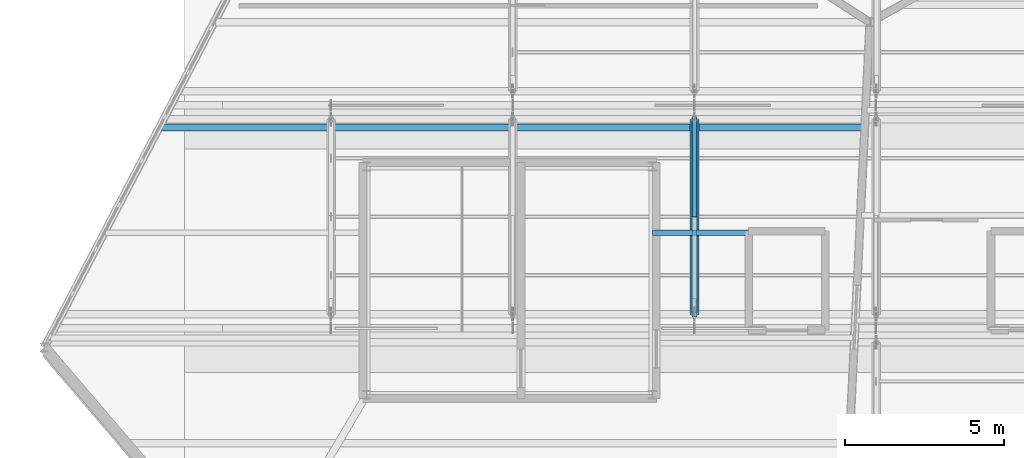
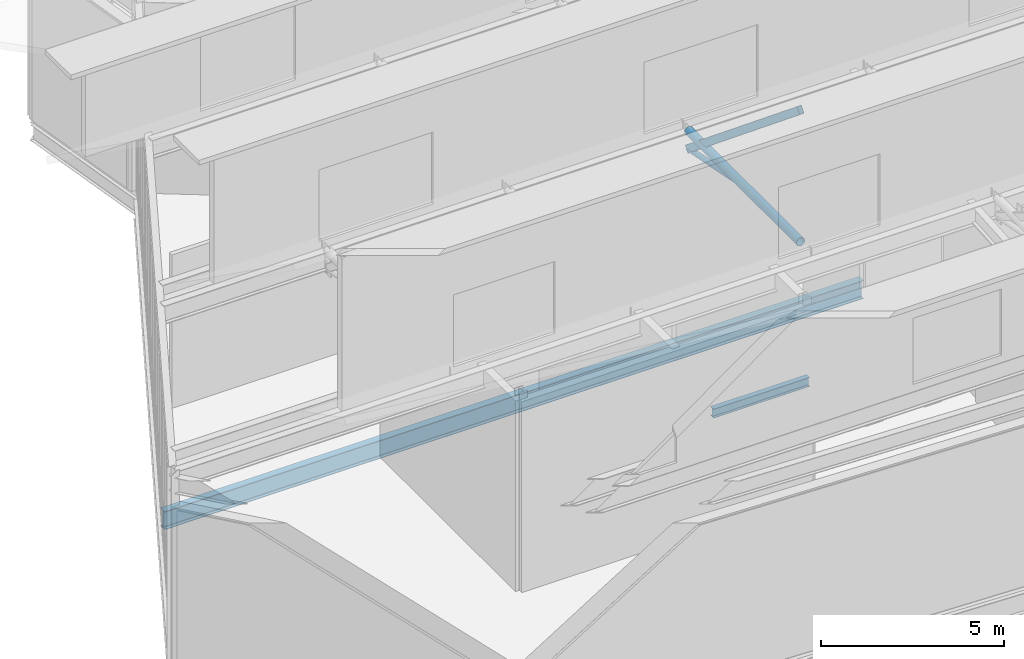
# One storey, part 9 of 55: 3 members, 2 beams.
"""IFC4 building model written with IfcOpenShell, lengths in metres."""

from ifc_helpers import new_model, si_unit, direction, frame, origin, origin_2d, place, context, subcontext, project, spatial, hollow_rectangle, hollow_circle, i_section, extrude, material, material_profile, profile_set, type_object, element, save


model = new_model("IFC4")

# Units and contexts
model_context = context("Model", 3, precision=1e-05, world=origin(), true_north=direction((0.0, 1.0)))
body_context = subcontext(model_context, "Body", "Model", "MODEL_VIEW")
ifc_project = project(units=[si_unit("LENGTHUNIT", "METRE"), si_unit("AREAUNIT", "SQUARE_METRE"), si_unit("VOLUMEUNIT", "CUBIC_METRE"), si_unit("PLANEANGLEUNIT", "RADIAN"), si_unit("MASSUNIT", "GRAM", prefix="KILO")], contexts=[model_context])

# Site, building, storey
site_placement = place(None, origin())
site = spatial("IfcSite", under=ifc_project, at=site_placement, CompositionType="ELEMENT")
building_placement = place(site_placement, origin())
building = spatial("IfcBuilding", under=site, at=building_placement, Name="Tameran Prism Museum", CompositionType="ELEMENT")
storey_placement = place(building_placement, frame((0.0, 0.0, 28.800048828125)))
storey = spatial("IfcBuildingStorey", under=building, at=storey_placement, Name="L05", CompositionType="ELEMENT", Elevation=28.800048828125)

# Beams
ifc_material_1 = material(Name="Steel Grade 300PLUS (300 MPa)", Category="steel")
ifc_material_profile_1 = material_profile(ifc_material_1, i_section(OverallWidth=0.1650390625, OverallDepth=0.303955078125, WebThickness=0.006103515625, FlangeThickness=0.01025390625, FilletRadius=0.011474609375, at=origin_2d()))
ifc_profile_set_1 = profile_set([ifc_material_profile_1])
beam_type_1 = type_object("IfcBeamType", Name="BM-J310B", PredefinedType="JOIST", material=ifc_profile_set_1)
beam_1_placement = place(storey_placement, frame((111.97998046875, 82.5, -0.39208984375), z_axis=(1.0, 0.0, 0.0), x_axis=(0.0, 1.0, 0.0)))
element("IfcBeam", 1, at=beam_1_placement, inside=storey, type_object=beam_type_1, Name="Floor Beam BM-1288", PredefinedType="JOIST", context=body_context, shape_type="SweptSolid", body=[
    extrude(i_section(OverallWidth=0.1650390625, OverallDepth=0.303955078125, WebThickness=0.006103515625, FlangeThickness=0.01025390625, FilletRadius=0.011474609375, at=origin_2d()), origin(), (0.0, 0.0, 1.0), 3.0400390625),
])
ifc_material_2 = material(Name="Steel Grade 300PLUS (300 MPa)", Category="steel")
ifc_material_profile_2 = material_profile(ifc_material_2, i_section(OverallWidth=0.22802734375, OverallDepth=0.60693359375, WebThickness=0.01123046875, FlangeThickness=0.017333984375, FilletRadius=0.013916015625, at=origin_2d()))
ifc_profile_set_2 = profile_set([ifc_material_profile_2])
beam_type_2 = type_object("IfcBeamType", Name="BM-UB610B", PredefinedType="BEAM", material=ifc_profile_set_2)
beam_2_placement = place(storey_placement, frame((96.550048828125, 85.800048828125, -0.54345703125), z_axis=(1.0, 0.0, 0.0), x_axis=(0.0, 1.0, 0.0)))
element("IfcBeam", 2, at=beam_2_placement, inside=storey, type_object=beam_type_2, Name="Floor Beam BM-1289", PredefinedType="BEAM", context=body_context, shape_type="SweptSolid", body=[
    extrude(i_section(OverallWidth=0.22802734375, OverallDepth=0.60693359375, WebThickness=0.01123046875, FlangeThickness=0.017333984375, FilletRadius=0.013916015625, at=origin_2d()), origin(), (0.0, 0.0, 1.0), 22.049072265625),
])

# Members
ifc_material_3 = material(Name="Steel Grade C350L0 (350 MPa)", Category="steel")
ifc_material_profile_3 = material_profile(ifc_material_3, hollow_circle(Radius=0.084228515625, WallThickness=0.007080078125, at=origin_2d()))
ifc_profile_set_3 = profile_set([ifc_material_profile_3])
member_type_1 = type_object("IfcMemberType", Name="MM-BR-CHS168", PredefinedType="BRACE", material=ifc_profile_set_3)
member_1_placement = place(storey_placement, frame((113.300048828125, 83.0, 6.385986328125), z_axis=(0.0, 0.981426640065, -0.191837822575), x_axis=(-1.0, 0.0, 0.0)))
element("IfcMember", 3, at=member_1_placement, inside=storey, type_object=member_type_1, Name="Sawtooth Brace STM-0048", PredefinedType="BRACE", context=body_context, shape_type="SweptSolid", body=[
    extrude(hollow_circle(Radius=0.084228515625, WallThickness=0.007080078125, at=origin_2d()), origin(), (0.0, 0.0, 1.0), 3.117919921875),
])
ifc_material_4 = material(Name="Steel Grade C350L0 (350 MPa)", Category="steel")
ifc_material_profile_4 = material_profile(ifc_material_4, hollow_circle(Radius=0.136474609375, WallThickness=0.00927734375, at=origin_2d()))
ifc_profile_set_4 = profile_set([ifc_material_profile_4])
member_type_2 = type_object("IfcMemberType", Name="MM-CH-CHS273", PredefinedType="CHORD", material=ifc_profile_set_4)
member_2_placement = place(storey_placement, frame((113.300048828125, 79.93994140625, 6.385986328125), z_axis=(0.0, 1.0, 0.0), x_axis=(-1.0, 0.0, 0.0)))
element("IfcMember", 4, at=member_2_placement, inside=storey, type_object=member_type_2, Name="Sawtooth Chord STM-0043", PredefinedType="CHORD", context=body_context, shape_type="SweptSolid", body=[
    extrude(hollow_circle(Radius=0.136474609375, WallThickness=0.00927734375, at=origin_2d()), origin(), (0.0, 0.0, 1.0), 6.1201171875),
])
ifc_material_5 = material(Name="Steel Grade C350L0 (350 MPa)", Category="steel")
ifc_material_profile_5 = material_profile(ifc_material_5, hollow_rectangle(XDim=0.14990234375, YDim=0.25, WallThickness=0.009033203125, InnerFilletRadius=0.013427734375, OuterFilletRadius=0.0224609375, at=origin_2d()))
ifc_profile_set_5 = profile_set([ifc_material_profile_5])
member_type_3 = type_object("IfcMemberType", Name="MM-RF-RHS250", PredefinedType="RAFTER", material=ifc_profile_set_5)
member_3_placement = place(storey_placement, frame((113.300048828125, 79.93994140625, 10.787841796875), z_axis=(0.0, 0.774414062505, -0.632679112817), x_axis=(-1.0, 0.0, 0.0)))
element("IfcMember", 5, at=member_3_placement, inside=storey, type_object=member_type_3, Name="Sawtooth Rafter STM-0044", PredefinedType="RAFTER", context=body_context, shape_type="SweptSolid", body=[
    extrude(hollow_rectangle(XDim=0.14990234375, YDim=0.25, WallThickness=0.009033203125, InnerFilletRadius=0.013427734375, OuterFilletRadius=0.0224609375, at=origin_2d()), origin(), (0.0, 0.0, 1.0), 7.90283203125),
])

save(model, "model.ifc")
